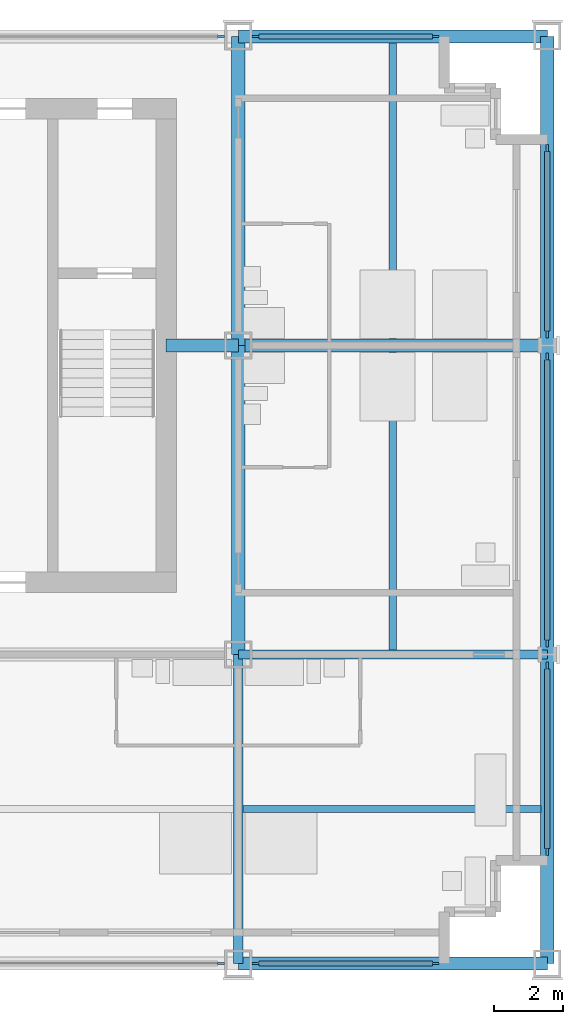
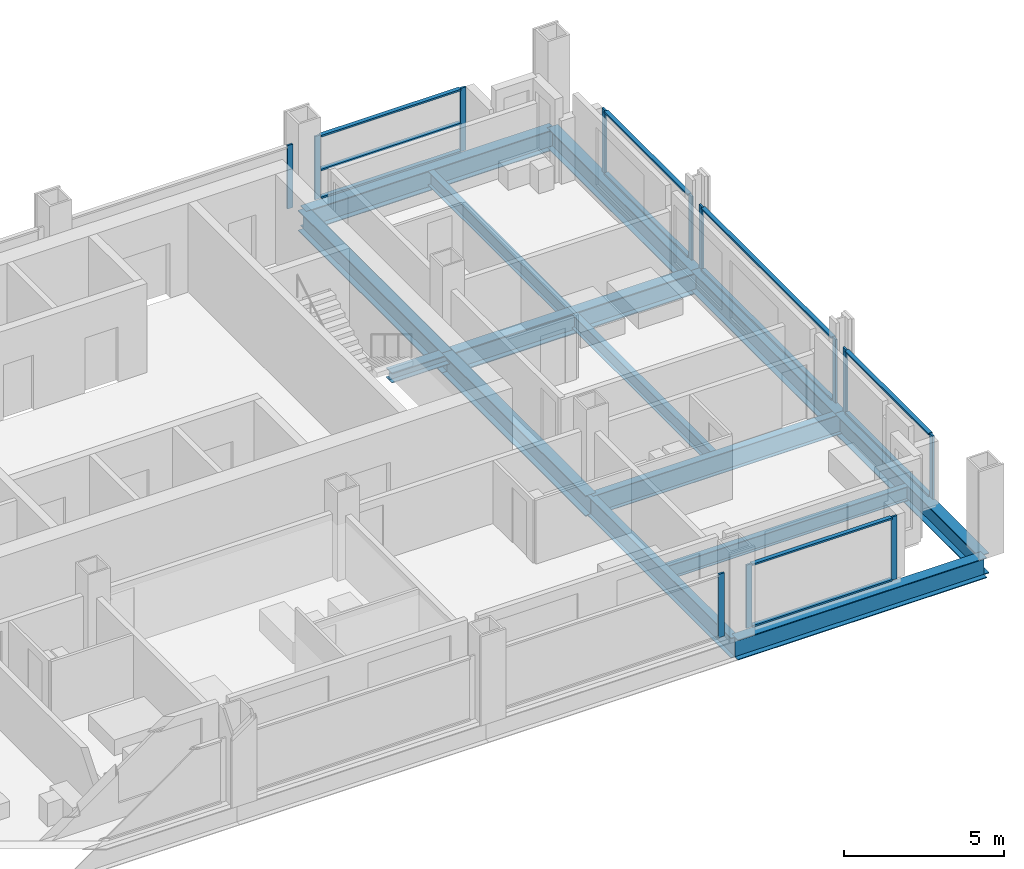
# One storey, part 5 of 13: 24 members, 13 beams, 7 elements without a shape of their own.
"""IFC4 building model written with IfcOpenShell, lengths in metres."""

from ifc_helpers import new_model, si_unit, direction, frame, origin, origin_2d, place, context, subcontext, project, spatial, rectangle, i_section, extrude, material, material_profile, profile_set, type_object, element, aggregate, save


model = new_model("IFC4")

# Units and contexts
model_context = context("Model", 3, precision=1e-05, world=origin(), true_north=direction((0.0, 1.0)))
body_context = subcontext(model_context, "Body", "Model", "MODEL_VIEW")
ifc_project = project(units=[si_unit("LENGTHUNIT", "METRE"), si_unit("AREAUNIT", "SQUARE_METRE"), si_unit("VOLUMEUNIT", "CUBIC_METRE"), si_unit("PLANEANGLEUNIT", "RADIAN"), si_unit("MASSUNIT", "GRAM", prefix="KILO")], contexts=[model_context])

# Site, building, storey
site_placement = place(None, origin())
site = spatial("IfcSite", under=ifc_project, at=site_placement, CompositionType="ELEMENT")
building_placement = place(site_placement, origin())
building = spatial("IfcBuilding", under=site, at=building_placement, Name="Loomwork Tower", CompositionType="ELEMENT")
storey_placement = place(building_placement, frame((0.0, 0.0, 191.0)))
storey = spatial("IfcBuildingStorey", under=building, at=storey_placement, Name="L52", CompositionType="ELEMENT", Elevation=191.0)

# Beams
ifc_material_1 = material(Name="Steel ASTM A992", Category="steel")
ifc_material_profile_1 = material_profile(ifc_material_1, i_section(OverallWidth=0.383544921875, OverallDepth=0.794921875, WebThickness=0.02099609375, FlangeThickness=0.0380859375, at=origin_2d()), Name="W30x235")
ifc_profile_set_1 = profile_set([ifc_material_profile_1], Name="Steel ASTM A992")
beam_type_1 = type_object("IfcBeamType", Name="CORE FLANK GIRDER W30x235", PredefinedType="BEAM", material=ifc_profile_set_1)
for number, where, z_axis, x_axis, name in (
    (1, (36.0, 18.0, -0.597412109375), (1.0, 0.0, 0.0), (0.0, 1.0, 0.0), "Core Flank Girder F/6-F/7 L52"),
    (2, (36.0, 9.0, -0.597412109375), (0.0, 1.0, 0.0), (-1.0, 0.0, 0.0), "Core Flank Girder E/6-F/6 L52"),
    (3, (36.0, 18.0, -0.597412109375), (0.0, 1.0, 0.0), (-1.0, 0.0, 0.0), "Core Flank Girder F/6-G/6 L52"),
):
    element("IfcBeam", number, at=place(storey_placement, frame(where, z_axis=z_axis, x_axis=x_axis)), inside=storey, type_object=beam_type_1, Name=name, PredefinedType="BEAM", context=body_context, shape_type="SweptSolid", body=[
        extrude(i_section(OverallWidth=0.383544921875, OverallDepth=0.794921875, WebThickness=0.02099609375, FlangeThickness=0.0380859375, at=origin_2d()), origin(), (0.0, 0.0, 1.0), 9.0),
    ])

# Member
ifc_material_2 = material(Name="Steel ASTM A992", Category="steel")
ifc_material_profile_2 = material_profile(ifc_material_2, i_section(OverallWidth=0.373291015625, OverallDepth=0.373291015625, WebThickness=0.016357421875, FlangeThickness=0.026123046875, at=origin_2d()), Name="W14x132")
ifc_profile_set_2 = profile_set([ifc_material_profile_2], Name="Steel ASTM A992")
member_type_1 = type_object("IfcMemberType", Name="CORE LINK STRUT W14x132", PredefinedType="STRUT", material=ifc_profile_set_2)
member_1_placement = place(storey_placement, frame((36.0, 18.0, -0.38671875), z_axis=(-1.0, 0.0, 0.0), x_axis=(0.0, -1.0, 0.0)))
element("IfcMember", 4, at=member_1_placement, inside=storey, type_object=member_type_1, Name="Core link strut F/6-33.900,18.000 L52", PredefinedType="STRUT", context=body_context, shape_type="SweptSolid", body=[
    extrude(i_section(OverallWidth=0.373291015625, OverallDepth=0.373291015625, WebThickness=0.016357421875, FlangeThickness=0.026123046875, at=origin_2d()), origin(), (0.0, 0.0, 1.0), 2.10009765625),
])

# Beams
ifc_material_3 = material(Name="Steel ASTM A992", Category="steel")
ifc_material_profile_3 = material_profile(ifc_material_3, i_section(OverallWidth=0.2666015625, OverallDepth=0.761962890625, WebThickness=0.014404296875, FlangeThickness=0.021484375, at=origin_2d()), Name="W30x116")
ifc_profile_set_3 = profile_set([ifc_material_profile_3], Name="Steel ASTM A992")
beam_type_2 = type_object("IfcBeamType", Name="FLOOR GIRDER W30x116", PredefinedType="BEAM", material=ifc_profile_set_3)
for number, where, z_axis, x_axis, name in (
    (5, (36.0, 9.0, -0.5810546875), (1.0, 0.0, 0.0), (0.0, 1.0, 0.0), "Floor Girder E/6-E/7 L52"),
    (6, (36.0, 0.0, -0.5810546875), (0.0, 1.0, 0.0), (-1.0, 0.0, 0.0), "Floor Girder D/6-E/6 L52"),
):
    element("IfcBeam", number, at=place(storey_placement, frame(where, z_axis=z_axis, x_axis=x_axis)), inside=storey, type_object=beam_type_2, Name=name, PredefinedType="BEAM", context=body_context, shape_type="SweptSolid", body=[
        extrude(i_section(OverallWidth=0.2666015625, OverallDepth=0.761962890625, WebThickness=0.014404296875, FlangeThickness=0.021484375, at=origin_2d()), origin(), (0.0, 0.0, 1.0), 9.0),
    ])
ifc_material_4 = material(Name="Steel ASTM A992", Category="steel")
ifc_material_profile_4 = material_profile(ifc_material_4, i_section(OverallWidth=0.2109375, OverallDepth=0.53857421875, WebThickness=0.011474609375, FlangeThickness=0.018798828125, at=origin_2d()), Name="W21x73")
ifc_profile_set_4 = profile_set([ifc_material_profile_4], Name="Steel ASTM A992")
beam_type_3 = type_object("IfcBeamType", Name="FLOOR JOIST W21x73", PredefinedType="JOIST", material=ifc_profile_set_4)
beam_1_placement = place(storey_placement, frame((36.133056640625, 4.5, -0.46923828125), z_axis=(1.0, 0.0, 0.0), x_axis=(0.0, 1.0, 0.0)))
element("IfcBeam", 7, at=beam_1_placement, inside=storey, type_object=beam_type_3, Name="Floor Joist 36.000,4.500-45.000,4.500 L52", PredefinedType="JOIST", context=body_context, shape_type="SweptSolid", body=[
    extrude(i_section(OverallWidth=0.2109375, OverallDepth=0.53857421875, WebThickness=0.011474609375, FlangeThickness=0.018798828125, at=origin_2d()), origin(), (0.0, 0.0, 1.0), 8.677001953125),
])
beam_2_placement = place(storey_placement, frame((40.5, 9.133056640625, -0.46923828125), z_axis=(0.0, 1.0, 0.0), x_axis=(-1.0, 0.0, 0.0)))
element("IfcBeam", 8, at=beam_2_placement, inside=storey, type_object=beam_type_3, Name="Floor Joist 40.500,9.000-40.500,18.000 L52", PredefinedType="JOIST", context=body_context, shape_type="SweptSolid", body=[
    extrude(i_section(OverallWidth=0.2109375, OverallDepth=0.53857421875, WebThickness=0.011474609375, FlangeThickness=0.018798828125, at=origin_2d()), origin(), (0.0, 0.0, 1.0), 8.676025390625),
])
beam_3_placement = place(storey_placement, frame((40.5, 18.19091796875, -0.46923828125), z_axis=(0.0, 1.0, 0.0), x_axis=(-1.0, 0.0, 0.0)))
element("IfcBeam", 9, at=beam_3_placement, inside=storey, type_object=beam_type_3, Name="Floor Joist 40.500,18.000-40.500,27.000 L52", PredefinedType="JOIST", context=body_context, shape_type="SweptSolid", body=[
    extrude(i_section(OverallWidth=0.2109375, OverallDepth=0.53857421875, WebThickness=0.011474609375, FlangeThickness=0.018798828125, at=origin_2d()), origin(), (0.0, 0.0, 1.0), 8.619140625),
])

# Curtain wall, member
ifc_material_5 = material(Name="Aluminium curtain wall frame", Category="aluminium")
curtain_wall_type_1 = type_object("IfcCurtainWallType", Name="Outer skin glazing hotel", PredefinedType="NOTDEFINED", material=ifc_material_5)
curtain_wall_1_placement = place(storey_placement, origin())
curtain_wall_1 = element("IfcCurtainWall", 10, at=curtain_wall_1_placement, inside=storey, type_object=curtain_wall_type_1, Name="Outer skin glazing hotel cw/S-27", PredefinedType="NOTDEFINED")
ifc_material_6 = material(Name="Aluminium curtain wall frame", Category="aluminium")
ifc_material_profile_5 = material_profile(ifc_material_6, rectangle(XDim=0.06494140625, YDim=0.199951171875, at=origin_2d()), Name="AL 65x200")
ifc_profile_set_5 = profile_set([ifc_material_profile_5], Name="Aluminium curtain wall frame")
member_type_2 = type_object("IfcMemberType", Name="Outer skin glazing hotel mullion", PredefinedType="MULLION", material=ifc_profile_set_5)
member_2_placement = place(storey_placement, frame((35.5, 0.0, 0.0), z_axis=(0.0, 0.0, 1.0), x_axis=(0.0, 1.0, 0.0)))
member_2 = element("IfcMember", 11, at=member_2_placement, type_object=member_type_2, Name="CW1 mullion 2", PredefinedType="MULLION", context=body_context, shape_type="SweptSolid", body=[
    extrude(rectangle(XDim=0.06494140625, YDim=0.199951171875, at=origin_2d()), origin(), (0.0, 0.0, 1.0), 2.420166015625),
])
aggregate(curtain_wall_1, [member_2])

# Curtain wall, members
curtain_wall_2_placement = place(storey_placement, origin())
curtain_wall_2 = element("IfcCurtainWall", 12, at=curtain_wall_2_placement, inside=storey, type_object=curtain_wall_type_1, Name="Outer skin glazing hotel cw/S-36", PredefinedType="NOTDEFINED")
member_3_placement = place(storey_placement, frame((36.5, 0.0, 0.0), z_axis=(0.0, 0.0, 1.0), x_axis=(0.0, 1.0, 0.0)))
member_3 = element("IfcMember", 13, at=member_3_placement, type_object=member_type_2, Name="CW1 mullion 1", PredefinedType="MULLION", context=body_context, shape_type="SweptSolid", body=[
    extrude(rectangle(XDim=0.06494140625, YDim=0.199951171875, at=origin_2d()), origin(), (0.0, 0.0, 1.0), 2.420166015625),
])
member_4_placement = place(storey_placement, frame((41.75, 0.0, 0.0), z_axis=(0.0, 0.0, 1.0), x_axis=(0.0, 1.0, 0.0)))
member_4 = element("IfcMember", 14, at=member_4_placement, type_object=member_type_2, Name="CW1 mullion 2", PredefinedType="MULLION", context=body_context, shape_type="SweptSolid", body=[
    extrude(rectangle(XDim=0.06494140625, YDim=0.199951171875, at=origin_2d()), origin(), (0.0, 0.0, 1.0), 2.420166015625),
])

curtain_wall_3_placement = place(storey_placement, origin())
curtain_wall_3 = element("IfcCurtainWall", 15, at=curtain_wall_3_placement, inside=storey, type_object=curtain_wall_type_1, Name="Outer skin glazing hotel cw/E-0", PredefinedType="NOTDEFINED")
member_5_placement = place(storey_placement, frame((45.0, 3.25, 0.0), z_axis=(0.0, 0.0, 1.0), x_axis=(-1.0, 0.0, 0.0)))
member_5 = element("IfcMember", 16, at=member_5_placement, type_object=member_type_2, Name="CW1 mullion 1", PredefinedType="MULLION", context=body_context, shape_type="SweptSolid", body=[
    extrude(rectangle(XDim=0.06494140625, YDim=0.199951171875, at=origin_2d()), origin(), (0.0, 0.0, 1.0), 2.420166015625),
])
member_6_placement = place(storey_placement, frame((45.0, 8.67529296875, 0.0), z_axis=(0.0, 0.0, 1.0), x_axis=(-1.0, 0.0, 0.0)))
member_6 = element("IfcMember", 17, at=member_6_placement, type_object=member_type_2, Name="CW1 mullion 2", PredefinedType="MULLION", context=body_context, shape_type="SweptSolid", body=[
    extrude(rectangle(XDim=0.06494140625, YDim=0.199951171875, at=origin_2d()), origin(), (0.0, 0.0, 1.0), 2.420166015625),
])

curtain_wall_4_placement = place(storey_placement, origin())
curtain_wall_4 = element("IfcCurtainWall", 18, at=curtain_wall_4_placement, inside=storey, type_object=curtain_wall_type_1, Name="Outer skin glazing hotel cw/E-9", PredefinedType="NOTDEFINED")
member_7_placement = place(storey_placement, frame((45.0, 9.32470703125, 0.0), z_axis=(0.0, 0.0, 1.0), x_axis=(-1.0, 0.0, 0.0)))
member_7 = element("IfcMember", 19, at=member_7_placement, type_object=member_type_2, Name="CW1 mullion 1", PredefinedType="MULLION", context=body_context, shape_type="SweptSolid", body=[
    extrude(rectangle(XDim=0.06494140625, YDim=0.199951171875, at=origin_2d()), origin(), (0.0, 0.0, 1.0), 2.420166015625),
])
member_8_placement = place(storey_placement, frame((45.0, 17.67529296875, 0.0), z_axis=(0.0, 0.0, 1.0), x_axis=(-1.0, 0.0, 0.0)))
member_8 = element("IfcMember", 20, at=member_8_placement, type_object=member_type_2, Name="CW1 mullion 2", PredefinedType="MULLION", context=body_context, shape_type="SweptSolid", body=[
    extrude(rectangle(XDim=0.06494140625, YDim=0.199951171875, at=origin_2d()), origin(), (0.0, 0.0, 1.0), 2.420166015625),
])

curtain_wall_5_placement = place(storey_placement, origin())
curtain_wall_5 = element("IfcCurtainWall", 21, at=curtain_wall_5_placement, inside=storey, type_object=curtain_wall_type_1, Name="Outer skin glazing hotel cw/E-18", PredefinedType="NOTDEFINED")
member_9_placement = place(storey_placement, frame((45.0, 18.32470703125, 0.0), z_axis=(0.0, 0.0, 1.0), x_axis=(-1.0, 0.0, 0.0)))
member_9 = element("IfcMember", 22, at=member_9_placement, type_object=member_type_2, Name="CW1 mullion 1", PredefinedType="MULLION", context=body_context, shape_type="SweptSolid", body=[
    extrude(rectangle(XDim=0.06494140625, YDim=0.199951171875, at=origin_2d()), origin(), (0.0, 0.0, 1.0), 2.420166015625),
])
member_10_placement = place(storey_placement, frame((45.0, 23.75, 0.0), z_axis=(0.0, 0.0, 1.0), x_axis=(-1.0, 0.0, 0.0)))
member_10 = element("IfcMember", 23, at=member_10_placement, type_object=member_type_2, Name="CW1 mullion 2", PredefinedType="MULLION", context=body_context, shape_type="SweptSolid", body=[
    extrude(rectangle(XDim=0.06494140625, YDim=0.199951171875, at=origin_2d()), origin(), (0.0, 0.0, 1.0), 2.420166015625),
])

# Member
ifc_material_7 = material(Name="Aluminium curtain wall frame", Category="aluminium")
ifc_material_profile_6 = material_profile(ifc_material_7, rectangle(XDim=0.14990234375, YDim=0.06494140625, at=origin_2d()), Name="AL 65x150")
ifc_profile_set_6 = profile_set([ifc_material_profile_6], Name="Aluminium curtain wall frame")
member_type_3 = type_object("IfcMemberType", Name="Outer skin glazing hotel transom", PredefinedType="USERDEFINED", material=ifc_profile_set_6)
member_11_placement = place(storey_placement, frame((36.60009765625, 0.0, 0.032470703125), z_axis=(1.0, 0.0, 0.0), x_axis=(0.0, 1.0, 0.0)))
member_11 = element("IfcMember", 24, at=member_11_placement, type_object=member_type_3, Name="CW1 transom 1.1", ObjectType="TRANSOM", PredefinedType="USERDEFINED", context=body_context, shape_type="SweptSolid", body=[
    extrude(rectangle(XDim=0.14990234375, YDim=0.06494140625, at=origin_2d()), origin(), (0.0, 0.0, 1.0), 5.0498046875),
])

member_12_placement = place(storey_placement, frame((36.60009765625, 0.0, 2.3876953125), z_axis=(1.0, 0.0, 0.0), x_axis=(0.0, 1.0, 0.0)))
member_12 = element("IfcMember", 25, at=member_12_placement, type_object=member_type_3, Name="CW1 transom 1.2", ObjectType="TRANSOM", PredefinedType="USERDEFINED", context=body_context, shape_type="SweptSolid", body=[
    extrude(rectangle(XDim=0.14990234375, YDim=0.06494140625, at=origin_2d()), origin(), (0.0, 0.0, 1.0), 5.0498046875),
])

aggregate(curtain_wall_2, [member_3, member_4, member_11, member_12])

member_13_placement = place(storey_placement, frame((45.0, 3.35009765625, 0.032470703125), z_axis=(0.0, 1.0, 0.0), x_axis=(-1.0, 0.0, 0.0)))
member_13 = element("IfcMember", 26, at=member_13_placement, type_object=member_type_3, Name="CW1 transom 1.1", ObjectType="TRANSOM", PredefinedType="USERDEFINED", context=body_context, shape_type="SweptSolid", body=[
    extrude(rectangle(XDim=0.14990234375, YDim=0.06494140625, at=origin_2d()), origin(), (0.0, 0.0, 1.0), 5.22509765625),
])

member_14_placement = place(storey_placement, frame((45.0, 3.35009765625, 2.3876953125), z_axis=(0.0, 1.0, 0.0), x_axis=(-1.0, 0.0, 0.0)))
member_14 = element("IfcMember", 27, at=member_14_placement, type_object=member_type_3, Name="CW1 transom 1.2", ObjectType="TRANSOM", PredefinedType="USERDEFINED", context=body_context, shape_type="SweptSolid", body=[
    extrude(rectangle(XDim=0.14990234375, YDim=0.06494140625, at=origin_2d()), origin(), (0.0, 0.0, 1.0), 5.22509765625),
])

aggregate(curtain_wall_3, [member_5, member_6, member_13, member_14])

member_15_placement = place(storey_placement, frame((45.0, 9.4248046875, 0.032470703125), z_axis=(0.0, 1.0, 0.0), x_axis=(-1.0, 0.0, 0.0)))
member_15 = element("IfcMember", 28, at=member_15_placement, type_object=member_type_3, Name="CW1 transom 1.1", ObjectType="TRANSOM", PredefinedType="USERDEFINED", context=body_context, shape_type="SweptSolid", body=[
    extrude(rectangle(XDim=0.14990234375, YDim=0.06494140625, at=origin_2d()), origin(), (0.0, 0.0, 1.0), 8.150390625),
])

member_16_placement = place(storey_placement, frame((45.0, 9.4248046875, 2.3876953125), z_axis=(0.0, 1.0, 0.0), x_axis=(-1.0, 0.0, 0.0)))
member_16 = element("IfcMember", 29, at=member_16_placement, type_object=member_type_3, Name="CW1 transom 1.2", ObjectType="TRANSOM", PredefinedType="USERDEFINED", context=body_context, shape_type="SweptSolid", body=[
    extrude(rectangle(XDim=0.14990234375, YDim=0.06494140625, at=origin_2d()), origin(), (0.0, 0.0, 1.0), 8.150390625),
])

aggregate(curtain_wall_4, [member_7, member_8, member_15, member_16])

member_17_placement = place(storey_placement, frame((45.0, 18.4248046875, 0.032470703125), z_axis=(0.0, 1.0, 0.0), x_axis=(-1.0, 0.0, 0.0)))
member_17 = element("IfcMember", 30, at=member_17_placement, type_object=member_type_3, Name="CW1 transom 1.1", ObjectType="TRANSOM", PredefinedType="USERDEFINED", context=body_context, shape_type="SweptSolid", body=[
    extrude(rectangle(XDim=0.14990234375, YDim=0.06494140625, at=origin_2d()), origin(), (0.0, 0.0, 1.0), 5.22509765625),
])

member_18_placement = place(storey_placement, frame((45.0, 18.4248046875, 2.3876953125), z_axis=(0.0, 1.0, 0.0), x_axis=(-1.0, 0.0, 0.0)))
member_18 = element("IfcMember", 31, at=member_18_placement, type_object=member_type_3, Name="CW1 transom 1.2", ObjectType="TRANSOM", PredefinedType="USERDEFINED", context=body_context, shape_type="SweptSolid", body=[
    extrude(rectangle(XDim=0.14990234375, YDim=0.06494140625, at=origin_2d()), origin(), (0.0, 0.0, 1.0), 5.22509765625),
])

aggregate(curtain_wall_5, [member_9, member_10, member_17, member_18])

# Beams
ifc_material_8 = material(Name="Steel ASTM A992", Category="steel")
ifc_material_profile_7 = material_profile(ifc_material_8, i_section(OverallWidth=0.381103515625, OverallDepth=0.77978515625, WebThickness=0.01806640625, FlangeThickness=0.0302734375, at=origin_2d()), Name="W30x191")
ifc_profile_set_7 = profile_set([ifc_material_profile_7], Name="Steel ASTM A992")
beam_type_4 = type_object("IfcBeamType", Name="SPANDREL GIRDER W30x191", PredefinedType="SPANDREL", material=ifc_profile_set_7)
for number, where, z_axis, x_axis, name in (
    (32, (36.0, 0.0, -0.58984375), (1.0, 0.0, 0.0), (0.0, 1.0, 0.0), "Spandrel Girder D/6-D/7 L52"),
    (33, (36.0, 27.0, -0.58984375), (1.0, 0.0, 0.0), (0.0, 1.0, 0.0), "Spandrel Girder G/6-G/7 L52"),
    (34, (45.0, 0.0, -0.58984375), (0.0, 1.0, 0.0), (-1.0, 0.0, 0.0), "Spandrel Girder D/7-E/7 L52"),
    (35, (45.0, 9.0, -0.58984375), (0.0, 1.0, 0.0), (-1.0, 0.0, 0.0), "Spandrel Girder E/7-F/7 L52"),
    (36, (45.0, 18.0, -0.58984375), (0.0, 1.0, 0.0), (-1.0, 0.0, 0.0), "Spandrel Girder F/7-G/7 L52"),
):
    element("IfcBeam", number, at=place(storey_placement, frame(where, z_axis=z_axis, x_axis=x_axis)), inside=storey, type_object=beam_type_4, Name=name, PredefinedType="SPANDREL", context=body_context, shape_type="SweptSolid", body=[
        extrude(i_section(OverallWidth=0.381103515625, OverallDepth=0.77978515625, WebThickness=0.01806640625, FlangeThickness=0.0302734375, at=origin_2d()), origin(), (0.0, 0.0, 1.0), 9.0),
    ])

# Curtain wall, member
ifc_material_9 = material(Name="Aluminium curtain wall frame", Category="aluminium")
curtain_wall_type_2 = type_object("IfcCurtainWallType", Name="Single skin glazing corridor", PredefinedType="NOTDEFINED", material=ifc_material_9)
curtain_wall_6_placement = place(storey_placement, origin())
curtain_wall_6 = element("IfcCurtainWall", 37, at=curtain_wall_6_placement, inside=storey, type_object=curtain_wall_type_2, Name="Single skin glazing corridor cw/N-27", PredefinedType="NOTDEFINED")
ifc_material_10 = material(Name="Aluminium curtain wall frame", Category="aluminium")
ifc_material_profile_8 = material_profile(ifc_material_10, rectangle(XDim=0.06494140625, YDim=0.199951171875, at=origin_2d()), Name="AL 65x200")
ifc_profile_set_8 = profile_set([ifc_material_profile_8], Name="Aluminium curtain wall frame")
member_type_4 = type_object("IfcMemberType", Name="Single skin glazing corridor mullion", PredefinedType="MULLION", material=ifc_profile_set_8)
member_19_placement = place(storey_placement, frame((35.5, 27.0, 0.0), z_axis=(0.0, 0.0, 1.0), x_axis=(0.0, -1.0, 0.0)))
member_19 = element("IfcMember", 38, at=member_19_placement, type_object=member_type_4, Name="CW3 mullion 1", PredefinedType="MULLION", context=body_context, shape_type="SweptSolid", body=[
    extrude(rectangle(XDim=0.06494140625, YDim=0.199951171875, at=origin_2d()), origin(), (0.0, 0.0, 1.0), 2.420166015625),
])
aggregate(curtain_wall_6, [member_19])

# Curtain wall, members
curtain_wall_7_placement = place(storey_placement, origin())
curtain_wall_7 = element("IfcCurtainWall", 39, at=curtain_wall_7_placement, inside=storey, type_object=curtain_wall_type_2, Name="Single skin glazing corridor cw/N-36", PredefinedType="NOTDEFINED")
member_20_placement = place(storey_placement, frame((41.75, 27.0, 0.0), z_axis=(0.0, 0.0, 1.0), x_axis=(0.0, -1.0, 0.0)))
member_20 = element("IfcMember", 40, at=member_20_placement, type_object=member_type_4, Name="CW3 mullion 1", PredefinedType="MULLION", context=body_context, shape_type="SweptSolid", body=[
    extrude(rectangle(XDim=0.06494140625, YDim=0.199951171875, at=origin_2d()), origin(), (0.0, 0.0, 1.0), 2.420166015625),
])
member_21_placement = place(storey_placement, frame((36.5, 27.0, 0.0), z_axis=(0.0, 0.0, 1.0), x_axis=(0.0, -1.0, 0.0)))
member_21 = element("IfcMember", 41, at=member_21_placement, type_object=member_type_4, Name="CW3 mullion 2", PredefinedType="MULLION", context=body_context, shape_type="SweptSolid", body=[
    extrude(rectangle(XDim=0.06494140625, YDim=0.199951171875, at=origin_2d()), origin(), (0.0, 0.0, 1.0), 2.420166015625),
])
ifc_material_11 = material(Name="Aluminium curtain wall frame", Category="aluminium")
ifc_material_profile_9 = material_profile(ifc_material_11, rectangle(XDim=0.14990234375, YDim=0.06494140625, at=origin_2d()), Name="AL 65x150")
ifc_profile_set_9 = profile_set([ifc_material_profile_9], Name="Aluminium curtain wall frame")
member_type_5 = type_object("IfcMemberType", Name="Single skin glazing corridor transom", PredefinedType="USERDEFINED", material=ifc_profile_set_9)
member_22_placement = place(storey_placement, frame((41.64990234375, 27.0, 0.032470703125), z_axis=(-1.0, 0.0, 0.0), x_axis=(0.0, -1.0, 0.0)))
member_22 = element("IfcMember", 42, at=member_22_placement, type_object=member_type_5, Name="CW3 transom 1.1", ObjectType="TRANSOM", PredefinedType="USERDEFINED", context=body_context, shape_type="SweptSolid", body=[
    extrude(rectangle(XDim=0.14990234375, YDim=0.06494140625, at=origin_2d()), origin(), (0.0, 0.0, 1.0), 5.0498046875),
])
member_23_placement = place(storey_placement, frame((41.64990234375, 27.0, 1.10009765625), z_axis=(-1.0, 0.0, 0.0), x_axis=(0.0, -1.0, 0.0)))
member_23 = element("IfcMember", 43, at=member_23_placement, type_object=member_type_5, Name="CW3 transom 1.2", ObjectType="TRANSOM", PredefinedType="USERDEFINED", context=body_context, shape_type="SweptSolid", body=[
    extrude(rectangle(XDim=0.14990234375, YDim=0.06494140625, at=origin_2d()), origin(), (0.0, 0.0, 1.0), 5.0498046875),
])
member_24_placement = place(storey_placement, frame((41.64990234375, 27.0, 2.3876953125), z_axis=(-1.0, 0.0, 0.0), x_axis=(0.0, -1.0, 0.0)))
member_24 = element("IfcMember", 44, at=member_24_placement, type_object=member_type_5, Name="CW3 transom 1.3", ObjectType="TRANSOM", PredefinedType="USERDEFINED", context=body_context, shape_type="SweptSolid", body=[
    extrude(rectangle(XDim=0.14990234375, YDim=0.06494140625, at=origin_2d()), origin(), (0.0, 0.0, 1.0), 5.0498046875),
])
aggregate(curtain_wall_7, [member_20, member_21, member_22, member_23, member_24])

save(model, "model.ifc")
